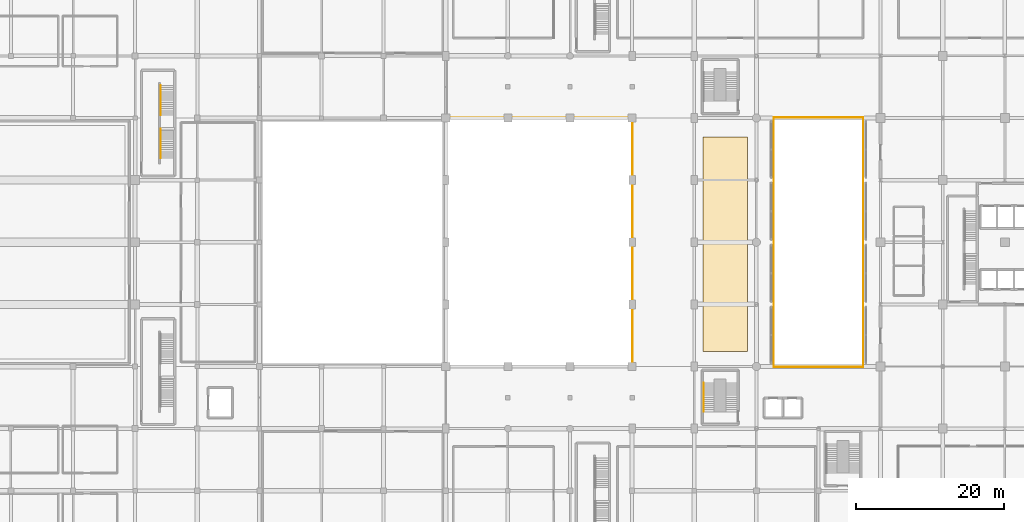
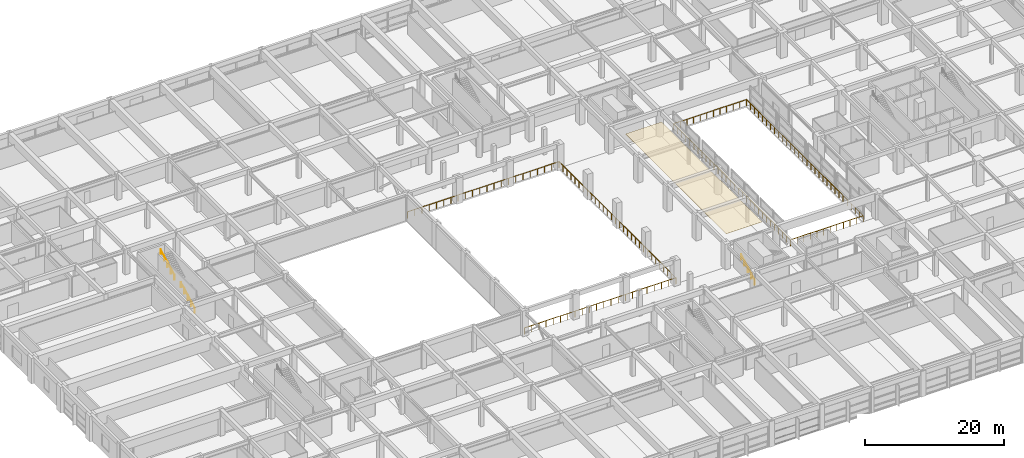
# One storey, part 61 of 65: 5 railings, 1 covering.
"""IFC4 building model written with IfcOpenShell, lengths in metres."""

from ifc_helpers import new_model, si_unit, direction, frame, origin, origin_2d, place, context, subcontext, project, spatial, polyline, circle, outline, extrude, material, layer, layer_set, type_object, element, save


model = new_model("IFC4")

# Units and contexts
model_context = context("Model", 3, precision=1e-05, world=origin(), true_north=direction((0.0, 1.0)))
body_context = subcontext(model_context, "Body", "Model", "MODEL_VIEW")
ifc_project = project(units=[si_unit("LENGTHUNIT", "METRE"), si_unit("AREAUNIT", "SQUARE_METRE"), si_unit("VOLUMEUNIT", "CUBIC_METRE"), si_unit("PLANEANGLEUNIT", "RADIAN"), si_unit("MASSUNIT", "GRAM", prefix="KILO")], contexts=[model_context])

# Site, building, storey
site_placement = place(None, origin())
site = spatial("IfcSite", under=ifc_project, at=site_placement, CompositionType="ELEMENT")
building_placement = place(site_placement, origin())
building = spatial("IfcBuilding", under=site, at=building_placement, Name="Xuanlan Plaza Opera House", CompositionType="ELEMENT")
storey_placement = place(building_placement, frame((0.0, 0.0, 5.39990234375)))
storey = spatial("IfcBuildingStorey", under=building, at=storey_placement, Name="L01", CompositionType="ELEMENT", Elevation=5.39990234375)

# Covering
ifc_material_1 = material(Name="Anodised Aluminium 6063-T6", Category="aluminium")
ifc_layer = layer(ifc_material_1, 0.034912109375)
ifc_layer_set = layer_set([ifc_layer], Name="Anodised Aluminium 6063-T6")
covering_type = type_object("IfcCoveringType", Name="INT-COV-CLG-02", PredefinedType="CEILING", material=ifc_layer_set)
covering_placement = place(storey_placement, frame((0.0, 0.0, 4.205078125)))
element("IfcCovering", 1, at=covering_placement, inside=storey, type_object=covering_type, Name="Acoustic Baffle Ceiling L01", PredefinedType="CEILING", context=body_context, shape_type="SweptSolid", body=[
    extrude(outline(polyline([(102.0, 44.0), (108.0, 44.0), (108.0, 73.0), (102.0, 73.0), (102.0, 44.0)])), origin(), (0.0, 0.0, 1.0), 0.034912109375),
])

# Railings
ifc_material_2 = material(Name="Stainless Steel S30408 and Laminated Glass", Category="steel")
railing_type_1 = type_object("IfcRailingType", Name="INT-RL-GR03", PredefinedType="GUARDRAIL", material=ifc_material_2)
railing_1_placement = place(storey_placement, frame((111.550048828125, 41.949951171875, 0.0)))
element("IfcRailing", 2, at=railing_1_placement, inside=storey, type_object=railing_type_1, Name="Atrium Gallery Perimeter Guardrail L01", PredefinedType="GUARDRAIL", context=body_context, shape_type="SweptSolid", body=[
    extrude(circle(Radius=0.02392578125, at=origin_2d()), frame((0.0, 0.0, 1.09619140625), z_axis=(1.0, 0.0, 0.0), x_axis=(0.0, 1.0, 0.0)), (0.0, 0.0, 1.0), 12.099853515625),
    extrude(circle(Radius=0.02392578125, at=origin_2d()), frame((12.099853515625, 0.0, 1.09619140625), z_axis=(0.0, 1.0, 0.0), x_axis=(-1.0, 0.0, 0.0)), (0.0, 0.0, 1.0), 33.699951171875),
    extrude(circle(Radius=0.02392578125, at=origin_2d()), frame((12.099853515625, 33.699951171875, 1.09619140625), z_axis=(-1.0, 0.0, 0.0), x_axis=(0.0, -1.0, 0.0)), (0.0, 0.0, 1.0), 12.099853515625),
    extrude(circle(Radius=0.02392578125, at=origin_2d()), frame((0.0, 33.699951171875, 1.09619140625), z_axis=(0.0, -1.0, 0.0), x_axis=(1.0, 0.0, 0.0)), (0.0, 0.0, 1.0), 33.699951171875),
    extrude(circle(Radius=0.02099609375, at=origin_2d()), origin(), (0.0, 0.0, 1.0), 1.072021484375),
    extrude(circle(Radius=0.02099609375, at=origin_2d()), frame((1.10009765625, 0.0, 0.0)), (0.0, 0.0, 1.0), 1.072021484375),
    extrude(circle(Radius=0.02099609375, at=origin_2d()), frame((2.199951171875, 0.0, 0.0)), (0.0, 0.0, 1.0), 1.072021484375),
    extrude(circle(Radius=0.02099609375, at=origin_2d()), frame((3.300048828125, 0.0, 0.0)), (0.0, 0.0, 1.0), 1.072021484375),
    extrude(circle(Radius=0.02099609375, at=origin_2d()), frame((4.39990234375, 0.0, 0.0)), (0.0, 0.0, 1.0), 1.072021484375),
    extrude(circle(Radius=0.02099609375, at=origin_2d()), frame((5.5, 0.0, 0.0)), (0.0, 0.0, 1.0), 1.072021484375),
    extrude(circle(Radius=0.02099609375, at=origin_2d()), frame((6.599853515625, 0.0, 0.0)), (0.0, 0.0, 1.0), 1.072021484375),
    extrude(circle(Radius=0.02099609375, at=origin_2d()), frame((7.699951171875, 0.0, 0.0)), (0.0, 0.0, 1.0), 1.072021484375),
    extrude(circle(Radius=0.02099609375, at=origin_2d()), frame((8.7998046875, 0.0, 0.0)), (0.0, 0.0, 1.0), 1.072021484375),
    extrude(circle(Radius=0.02099609375, at=origin_2d()), frame((9.89990234375, 0.0, 0.0)), (0.0, 0.0, 1.0), 1.072021484375),
    extrude(circle(Radius=0.02099609375, at=origin_2d()), frame((10.999755859375, 0.0, 0.0)), (0.0, 0.0, 1.0), 1.072021484375),
    extrude(circle(Radius=0.02099609375, at=origin_2d()), frame((12.099853515625, 0.0, 0.0)), (0.0, 0.0, 1.0), 1.072021484375),
    extrude(circle(Radius=0.02099609375, at=origin_2d()), frame((12.099853515625, 1.162109375, 0.0)), (0.0, 0.0, 1.0), 1.072021484375),
    extrude(circle(Radius=0.02099609375, at=origin_2d()), frame((12.099853515625, 2.32421875, 0.0)), (0.0, 0.0, 1.0), 1.072021484375),
    extrude(circle(Radius=0.02099609375, at=origin_2d()), frame((12.099853515625, 3.486083984375, 0.0)), (0.0, 0.0, 1.0), 1.072021484375),
    extrude(circle(Radius=0.02099609375, at=origin_2d()), frame((12.099853515625, 4.648193359375, 0.0)), (0.0, 0.0, 1.0), 1.072021484375),
    extrude(circle(Radius=0.02099609375, at=origin_2d()), frame((12.099853515625, 5.810302734375, 0.0)), (0.0, 0.0, 1.0), 1.072021484375),
    extrude(circle(Radius=0.02099609375, at=origin_2d()), frame((12.099853515625, 6.972412109375, 0.0)), (0.0, 0.0, 1.0), 1.072021484375),
    extrude(circle(Radius=0.02099609375, at=origin_2d()), frame((12.099853515625, 8.134521484375, 0.0)), (0.0, 0.0, 1.0), 1.072021484375),
    extrude(circle(Radius=0.02099609375, at=origin_2d()), frame((12.099853515625, 9.296630859375, 0.0)), (0.0, 0.0, 1.0), 1.072021484375),
    extrude(circle(Radius=0.02099609375, at=origin_2d()), frame((12.099853515625, 10.45849609375, 0.0)), (0.0, 0.0, 1.0), 1.072021484375),
    extrude(circle(Radius=0.02099609375, at=origin_2d()), frame((12.099853515625, 11.62060546875, 0.0)), (0.0, 0.0, 1.0), 1.072021484375),
    extrude(circle(Radius=0.02099609375, at=origin_2d()), frame((12.099853515625, 12.78271484375, 0.0)), (0.0, 0.0, 1.0), 1.072021484375),
    extrude(circle(Radius=0.02099609375, at=origin_2d()), frame((12.099853515625, 13.94482421875, 0.0)), (0.0, 0.0, 1.0), 1.072021484375),
    extrude(circle(Radius=0.02099609375, at=origin_2d()), frame((12.099853515625, 15.10693359375, 0.0)), (0.0, 0.0, 1.0), 1.072021484375),
    extrude(circle(Radius=0.02099609375, at=origin_2d()), frame((12.099853515625, 16.26904296875, 0.0)), (0.0, 0.0, 1.0), 1.072021484375),
    extrude(circle(Radius=0.02099609375, at=origin_2d()), frame((12.099853515625, 17.430908203125, 0.0)), (0.0, 0.0, 1.0), 1.072021484375),
    extrude(circle(Radius=0.02099609375, at=origin_2d()), frame((12.099853515625, 18.593017578125, 0.0)), (0.0, 0.0, 1.0), 1.072021484375),
    extrude(circle(Radius=0.02099609375, at=origin_2d()), frame((12.099853515625, 19.755126953125, 0.0)), (0.0, 0.0, 1.0), 1.072021484375),
    extrude(circle(Radius=0.02099609375, at=origin_2d()), frame((12.099853515625, 20.917236328125, 0.0)), (0.0, 0.0, 1.0), 1.072021484375),
    extrude(circle(Radius=0.02099609375, at=origin_2d()), frame((12.099853515625, 22.079345703125, 0.0)), (0.0, 0.0, 1.0), 1.072021484375),
    extrude(circle(Radius=0.02099609375, at=origin_2d()), frame((12.099853515625, 23.241455078125, 0.0)), (0.0, 0.0, 1.0), 1.072021484375),
    extrude(circle(Radius=0.02099609375, at=origin_2d()), frame((12.099853515625, 24.4033203125, 0.0)), (0.0, 0.0, 1.0), 1.072021484375),
    extrude(circle(Radius=0.02099609375, at=origin_2d()), frame((12.099853515625, 25.5654296875, 0.0)), (0.0, 0.0, 1.0), 1.072021484375),
    extrude(circle(Radius=0.02099609375, at=origin_2d()), frame((12.099853515625, 26.7275390625, 0.0)), (0.0, 0.0, 1.0), 1.072021484375),
    extrude(circle(Radius=0.02099609375, at=origin_2d()), frame((12.099853515625, 27.8896484375, 0.0)), (0.0, 0.0, 1.0), 1.072021484375),
    extrude(circle(Radius=0.02099609375, at=origin_2d()), frame((12.099853515625, 29.0517578125, 0.0)), (0.0, 0.0, 1.0), 1.072021484375),
    extrude(circle(Radius=0.02099609375, at=origin_2d()), frame((12.099853515625, 30.2138671875, 0.0)), (0.0, 0.0, 1.0), 1.072021484375),
    extrude(circle(Radius=0.02099609375, at=origin_2d()), frame((12.099853515625, 31.375732421875, 0.0)), (0.0, 0.0, 1.0), 1.072021484375),
    extrude(circle(Radius=0.02099609375, at=origin_2d()), frame((12.099853515625, 32.537841796875, 0.0)), (0.0, 0.0, 1.0), 1.072021484375),
    extrude(circle(Radius=0.02099609375, at=origin_2d()), frame((12.099853515625, 33.699951171875, 0.0)), (0.0, 0.0, 1.0), 1.072021484375),
    extrude(circle(Radius=0.02099609375, at=origin_2d()), frame((10.999755859375, 33.699951171875, 0.0)), (0.0, 0.0, 1.0), 1.072021484375),
    extrude(circle(Radius=0.02099609375, at=origin_2d()), frame((9.89990234375, 33.699951171875, 0.0)), (0.0, 0.0, 1.0), 1.072021484375),
    extrude(circle(Radius=0.02099609375, at=origin_2d()), frame((8.7998046875, 33.699951171875, 0.0)), (0.0, 0.0, 1.0), 1.072021484375),
    extrude(circle(Radius=0.02099609375, at=origin_2d()), frame((7.699951171875, 33.699951171875, 0.0)), (0.0, 0.0, 1.0), 1.072021484375),
    extrude(circle(Radius=0.02099609375, at=origin_2d()), frame((6.599853515625, 33.699951171875, 0.0)), (0.0, 0.0, 1.0), 1.072021484375),
    extrude(circle(Radius=0.02099609375, at=origin_2d()), frame((5.5, 33.699951171875, 0.0)), (0.0, 0.0, 1.0), 1.072021484375),
    extrude(circle(Radius=0.02099609375, at=origin_2d()), frame((4.39990234375, 33.699951171875, 0.0)), (0.0, 0.0, 1.0), 1.072021484375),
    extrude(circle(Radius=0.02099609375, at=origin_2d()), frame((3.300048828125, 33.699951171875, 0.0)), (0.0, 0.0, 1.0), 1.072021484375),
    extrude(circle(Radius=0.02099609375, at=origin_2d()), frame((2.199951171875, 33.699951171875, 0.0)), (0.0, 0.0, 1.0), 1.072021484375),
    extrude(circle(Radius=0.02099609375, at=origin_2d()), frame((1.10009765625, 33.699951171875, 0.0)), (0.0, 0.0, 1.0), 1.072021484375),
    extrude(circle(Radius=0.02099609375, at=origin_2d()), frame((0.0, 33.699951171875, 0.0)), (0.0, 0.0, 1.0), 1.072021484375),
    extrude(circle(Radius=0.02099609375, at=origin_2d()), frame((0.0, 32.537841796875, 0.0)), (0.0, 0.0, 1.0), 1.072021484375),
    extrude(circle(Radius=0.02099609375, at=origin_2d()), frame((0.0, 31.375732421875, 0.0)), (0.0, 0.0, 1.0), 1.072021484375),
    extrude(circle(Radius=0.02099609375, at=origin_2d()), frame((0.0, 30.2138671875, 0.0)), (0.0, 0.0, 1.0), 1.072021484375),
    extrude(circle(Radius=0.02099609375, at=origin_2d()), frame((0.0, 29.0517578125, 0.0)), (0.0, 0.0, 1.0), 1.072021484375),
    extrude(circle(Radius=0.02099609375, at=origin_2d()), frame((0.0, 27.8896484375, 0.0)), (0.0, 0.0, 1.0), 1.072021484375),
    extrude(circle(Radius=0.02099609375, at=origin_2d()), frame((0.0, 26.7275390625, 0.0)), (0.0, 0.0, 1.0), 1.072021484375),
    extrude(circle(Radius=0.02099609375, at=origin_2d()), frame((0.0, 25.5654296875, 0.0)), (0.0, 0.0, 1.0), 1.072021484375),
    extrude(circle(Radius=0.02099609375, at=origin_2d()), frame((0.0, 24.4033203125, 0.0)), (0.0, 0.0, 1.0), 1.072021484375),
    extrude(circle(Radius=0.02099609375, at=origin_2d()), frame((0.0, 23.241455078125, 0.0)), (0.0, 0.0, 1.0), 1.072021484375),
    extrude(circle(Radius=0.02099609375, at=origin_2d()), frame((0.0, 22.079345703125, 0.0)), (0.0, 0.0, 1.0), 1.072021484375),
    extrude(circle(Radius=0.02099609375, at=origin_2d()), frame((0.0, 20.917236328125, 0.0)), (0.0, 0.0, 1.0), 1.072021484375),
    extrude(circle(Radius=0.02099609375, at=origin_2d()), frame((0.0, 19.755126953125, 0.0)), (0.0, 0.0, 1.0), 1.072021484375),
    extrude(circle(Radius=0.02099609375, at=origin_2d()), frame((0.0, 18.593017578125, 0.0)), (0.0, 0.0, 1.0), 1.072021484375),
    extrude(circle(Radius=0.02099609375, at=origin_2d()), frame((0.0, 17.430908203125, 0.0)), (0.0, 0.0, 1.0), 1.072021484375),
    extrude(circle(Radius=0.02099609375, at=origin_2d()), frame((0.0, 16.26904296875, 0.0)), (0.0, 0.0, 1.0), 1.072021484375),
    extrude(circle(Radius=0.02099609375, at=origin_2d()), frame((0.0, 15.10693359375, 0.0)), (0.0, 0.0, 1.0), 1.072021484375),
    extrude(circle(Radius=0.02099609375, at=origin_2d()), frame((0.0, 13.94482421875, 0.0)), (0.0, 0.0, 1.0), 1.072021484375),
    extrude(circle(Radius=0.02099609375, at=origin_2d()), frame((0.0, 12.78271484375, 0.0)), (0.0, 0.0, 1.0), 1.072021484375),
    extrude(circle(Radius=0.02099609375, at=origin_2d()), frame((0.0, 11.62060546875, 0.0)), (0.0, 0.0, 1.0), 1.072021484375),
    extrude(circle(Radius=0.02099609375, at=origin_2d()), frame((0.0, 10.45849609375, 0.0)), (0.0, 0.0, 1.0), 1.072021484375),
    extrude(circle(Radius=0.02099609375, at=origin_2d()), frame((0.0, 9.296630859375, 0.0)), (0.0, 0.0, 1.0), 1.072021484375),
    extrude(circle(Radius=0.02099609375, at=origin_2d()), frame((0.0, 8.134521484375, 0.0)), (0.0, 0.0, 1.0), 1.072021484375),
    extrude(circle(Radius=0.02099609375, at=origin_2d()), frame((0.0, 6.972412109375, 0.0)), (0.0, 0.0, 1.0), 1.072021484375),
    extrude(circle(Radius=0.02099609375, at=origin_2d()), frame((0.0, 5.810302734375, 0.0)), (0.0, 0.0, 1.0), 1.072021484375),
    extrude(circle(Radius=0.02099609375, at=origin_2d()), frame((0.0, 4.648193359375, 0.0)), (0.0, 0.0, 1.0), 1.072021484375),
    extrude(circle(Radius=0.02099609375, at=origin_2d()), frame((0.0, 3.486083984375, 0.0)), (0.0, 0.0, 1.0), 1.072021484375),
    extrude(circle(Radius=0.02099609375, at=origin_2d()), frame((0.0, 2.32421875, 0.0)), (0.0, 0.0, 1.0), 1.072021484375),
    extrude(circle(Radius=0.02099609375, at=origin_2d()), frame((0.0, 1.162109375, 0.0)), (0.0, 0.0, 1.0), 1.072021484375),
])
railing_2_placement = place(storey_placement, frame((67.25, 41.949951171875, 0.0)))
element("IfcRailing", 3, at=railing_2_placement, inside=storey, type_object=railing_type_1, Name="Auditorium Bowl Balcony Guardrail L01", PredefinedType="GUARDRAIL", context=body_context, shape_type="SweptSolid", body=[
    extrude(circle(Radius=0.02392578125, at=origin_2d()), frame((0.0, 0.0, 1.09619140625), z_axis=(1.0, 0.0, 0.0), x_axis=(0.0, 1.0, 0.0)), (0.0, 0.0, 1.0), 25.199951171875),
    extrude(circle(Radius=0.02392578125, at=origin_2d()), frame((25.199951171875, 0.0, 1.09619140625), z_axis=(0.0, 1.0, 0.0), x_axis=(-1.0, 0.0, 0.0)), (0.0, 0.0, 1.0), 33.699951171875),
    extrude(circle(Radius=0.02392578125, at=origin_2d()), frame((25.199951171875, 33.699951171875, 1.09619140625), z_axis=(-1.0, 0.0, 0.0), x_axis=(0.0, -1.0, 0.0)), (0.0, 0.0, 1.0), 25.199951171875),
    extrude(circle(Radius=0.02099609375, at=origin_2d()), origin(), (0.0, 0.0, 1.0), 1.072021484375),
    extrude(circle(Radius=0.02099609375, at=origin_2d()), frame((1.199951171875, 0.0, 0.0)), (0.0, 0.0, 1.0), 1.072021484375),
    extrude(circle(Radius=0.02099609375, at=origin_2d()), frame((2.39990234375, 0.0, 0.0)), (0.0, 0.0, 1.0), 1.072021484375),
    extrude(circle(Radius=0.02099609375, at=origin_2d()), frame((3.60009765625, 0.0, 0.0)), (0.0, 0.0, 1.0), 1.072021484375),
    extrude(circle(Radius=0.02099609375, at=origin_2d()), frame((4.800048828125, 0.0, 0.0)), (0.0, 0.0, 1.0), 1.072021484375),
    extrude(circle(Radius=0.02099609375, at=origin_2d()), frame((6.0, 0.0, 0.0)), (0.0, 0.0, 1.0), 1.072021484375),
    extrude(circle(Radius=0.02099609375, at=origin_2d()), frame((7.199951171875, 0.0, 0.0)), (0.0, 0.0, 1.0), 1.072021484375),
    extrude(circle(Radius=0.02099609375, at=origin_2d()), frame((8.39990234375, 0.0, 0.0)), (0.0, 0.0, 1.0), 1.072021484375),
    extrude(circle(Radius=0.02099609375, at=origin_2d()), frame((9.60009765625, 0.0, 0.0)), (0.0, 0.0, 1.0), 1.072021484375),
    extrude(circle(Radius=0.02099609375, at=origin_2d()), frame((10.800048828125, 0.0, 0.0)), (0.0, 0.0, 1.0), 1.072021484375),
    extrude(circle(Radius=0.02099609375, at=origin_2d()), frame((12.0, 0.0, 0.0)), (0.0, 0.0, 1.0), 1.072021484375),
    extrude(circle(Radius=0.02099609375, at=origin_2d()), frame((13.199951171875, 0.0, 0.0)), (0.0, 0.0, 1.0), 1.072021484375),
    extrude(circle(Radius=0.02099609375, at=origin_2d()), frame((14.39990234375, 0.0, 0.0)), (0.0, 0.0, 1.0), 1.072021484375),
    extrude(circle(Radius=0.02099609375, at=origin_2d()), frame((15.599853515625, 0.0, 0.0)), (0.0, 0.0, 1.0), 1.072021484375),
    extrude(circle(Radius=0.02099609375, at=origin_2d()), frame((16.800048828125, 0.0, 0.0)), (0.0, 0.0, 1.0), 1.072021484375),
    extrude(circle(Radius=0.02099609375, at=origin_2d()), frame((18.0, 0.0, 0.0)), (0.0, 0.0, 1.0), 1.072021484375),
    extrude(circle(Radius=0.02099609375, at=origin_2d()), frame((19.199951171875, 0.0, 0.0)), (0.0, 0.0, 1.0), 1.072021484375),
    extrude(circle(Radius=0.02099609375, at=origin_2d()), frame((20.39990234375, 0.0, 0.0)), (0.0, 0.0, 1.0), 1.072021484375),
    extrude(circle(Radius=0.02099609375, at=origin_2d()), frame((21.599853515625, 0.0, 0.0)), (0.0, 0.0, 1.0), 1.072021484375),
    extrude(circle(Radius=0.02099609375, at=origin_2d()), frame((22.800048828125, 0.0, 0.0)), (0.0, 0.0, 1.0), 1.072021484375),
    extrude(circle(Radius=0.02099609375, at=origin_2d()), frame((24.0, 0.0, 0.0)), (0.0, 0.0, 1.0), 1.072021484375),
    extrude(circle(Radius=0.02099609375, at=origin_2d()), frame((25.199951171875, 0.0, 0.0)), (0.0, 0.0, 1.0), 1.072021484375),
    extrude(circle(Radius=0.02099609375, at=origin_2d()), frame((25.199951171875, 1.162109375, 0.0)), (0.0, 0.0, 1.0), 1.072021484375),
    extrude(circle(Radius=0.02099609375, at=origin_2d()), frame((25.199951171875, 2.32421875, 0.0)), (0.0, 0.0, 1.0), 1.072021484375),
    extrude(circle(Radius=0.02099609375, at=origin_2d()), frame((25.199951171875, 3.486083984375, 0.0)), (0.0, 0.0, 1.0), 1.072021484375),
    extrude(circle(Radius=0.02099609375, at=origin_2d()), frame((25.199951171875, 4.648193359375, 0.0)), (0.0, 0.0, 1.0), 1.072021484375),
    extrude(circle(Radius=0.02099609375, at=origin_2d()), frame((25.199951171875, 5.810302734375, 0.0)), (0.0, 0.0, 1.0), 1.072021484375),
    extrude(circle(Radius=0.02099609375, at=origin_2d()), frame((25.199951171875, 6.972412109375, 0.0)), (0.0, 0.0, 1.0), 1.072021484375),
    extrude(circle(Radius=0.02099609375, at=origin_2d()), frame((25.199951171875, 8.134521484375, 0.0)), (0.0, 0.0, 1.0), 1.072021484375),
    extrude(circle(Radius=0.02099609375, at=origin_2d()), frame((25.199951171875, 9.296630859375, 0.0)), (0.0, 0.0, 1.0), 1.072021484375),
    extrude(circle(Radius=0.02099609375, at=origin_2d()), frame((25.199951171875, 10.45849609375, 0.0)), (0.0, 0.0, 1.0), 1.072021484375),
    extrude(circle(Radius=0.02099609375, at=origin_2d()), frame((25.199951171875, 11.62060546875, 0.0)), (0.0, 0.0, 1.0), 1.072021484375),
    extrude(circle(Radius=0.02099609375, at=origin_2d()), frame((25.199951171875, 12.78271484375, 0.0)), (0.0, 0.0, 1.0), 1.072021484375),
    extrude(circle(Radius=0.02099609375, at=origin_2d()), frame((25.199951171875, 13.94482421875, 0.0)), (0.0, 0.0, 1.0), 1.072021484375),
    extrude(circle(Radius=0.02099609375, at=origin_2d()), frame((25.199951171875, 15.10693359375, 0.0)), (0.0, 0.0, 1.0), 1.072021484375),
    extrude(circle(Radius=0.02099609375, at=origin_2d()), frame((25.199951171875, 16.26904296875, 0.0)), (0.0, 0.0, 1.0), 1.072021484375),
    extrude(circle(Radius=0.02099609375, at=origin_2d()), frame((25.199951171875, 17.430908203125, 0.0)), (0.0, 0.0, 1.0), 1.072021484375),
    extrude(circle(Radius=0.02099609375, at=origin_2d()), frame((25.199951171875, 18.593017578125, 0.0)), (0.0, 0.0, 1.0), 1.072021484375),
    extrude(circle(Radius=0.02099609375, at=origin_2d()), frame((25.199951171875, 19.755126953125, 0.0)), (0.0, 0.0, 1.0), 1.072021484375),
    extrude(circle(Radius=0.02099609375, at=origin_2d()), frame((25.199951171875, 20.917236328125, 0.0)), (0.0, 0.0, 1.0), 1.072021484375),
    extrude(circle(Radius=0.02099609375, at=origin_2d()), frame((25.199951171875, 22.079345703125, 0.0)), (0.0, 0.0, 1.0), 1.072021484375),
    extrude(circle(Radius=0.02099609375, at=origin_2d()), frame((25.199951171875, 23.241455078125, 0.0)), (0.0, 0.0, 1.0), 1.072021484375),
    extrude(circle(Radius=0.02099609375, at=origin_2d()), frame((25.199951171875, 24.4033203125, 0.0)), (0.0, 0.0, 1.0), 1.072021484375),
    extrude(circle(Radius=0.02099609375, at=origin_2d()), frame((25.199951171875, 25.5654296875, 0.0)), (0.0, 0.0, 1.0), 1.072021484375),
    extrude(circle(Radius=0.02099609375, at=origin_2d()), frame((25.199951171875, 26.7275390625, 0.0)), (0.0, 0.0, 1.0), 1.072021484375),
    extrude(circle(Radius=0.02099609375, at=origin_2d()), frame((25.199951171875, 27.8896484375, 0.0)), (0.0, 0.0, 1.0), 1.072021484375),
    extrude(circle(Radius=0.02099609375, at=origin_2d()), frame((25.199951171875, 29.0517578125, 0.0)), (0.0, 0.0, 1.0), 1.072021484375),
    extrude(circle(Radius=0.02099609375, at=origin_2d()), frame((25.199951171875, 30.2138671875, 0.0)), (0.0, 0.0, 1.0), 1.072021484375),
    extrude(circle(Radius=0.02099609375, at=origin_2d()), frame((25.199951171875, 31.375732421875, 0.0)), (0.0, 0.0, 1.0), 1.072021484375),
    extrude(circle(Radius=0.02099609375, at=origin_2d()), frame((25.199951171875, 32.537841796875, 0.0)), (0.0, 0.0, 1.0), 1.072021484375),
    extrude(circle(Radius=0.02099609375, at=origin_2d()), frame((25.199951171875, 33.699951171875, 0.0)), (0.0, 0.0, 1.0), 1.072021484375),
    extrude(circle(Radius=0.02099609375, at=origin_2d()), frame((24.0, 33.699951171875, 0.0)), (0.0, 0.0, 1.0), 1.072021484375),
    extrude(circle(Radius=0.02099609375, at=origin_2d()), frame((22.800048828125, 33.699951171875, 0.0)), (0.0, 0.0, 1.0), 1.072021484375),
    extrude(circle(Radius=0.02099609375, at=origin_2d()), frame((21.599853515625, 33.699951171875, 0.0)), (0.0, 0.0, 1.0), 1.072021484375),
    extrude(circle(Radius=0.02099609375, at=origin_2d()), frame((20.39990234375, 33.699951171875, 0.0)), (0.0, 0.0, 1.0), 1.072021484375),
    extrude(circle(Radius=0.02099609375, at=origin_2d()), frame((19.199951171875, 33.699951171875, 0.0)), (0.0, 0.0, 1.0), 1.072021484375),
    extrude(circle(Radius=0.02099609375, at=origin_2d()), frame((18.0, 33.699951171875, 0.0)), (0.0, 0.0, 1.0), 1.072021484375),
    extrude(circle(Radius=0.02099609375, at=origin_2d()), frame((16.800048828125, 33.699951171875, 0.0)), (0.0, 0.0, 1.0), 1.072021484375),
    extrude(circle(Radius=0.02099609375, at=origin_2d()), frame((15.599853515625, 33.699951171875, 0.0)), (0.0, 0.0, 1.0), 1.072021484375),
    extrude(circle(Radius=0.02099609375, at=origin_2d()), frame((14.39990234375, 33.699951171875, 0.0)), (0.0, 0.0, 1.0), 1.072021484375),
    extrude(circle(Radius=0.02099609375, at=origin_2d()), frame((13.199951171875, 33.699951171875, 0.0)), (0.0, 0.0, 1.0), 1.072021484375),
    extrude(circle(Radius=0.02099609375, at=origin_2d()), frame((12.0, 33.699951171875, 0.0)), (0.0, 0.0, 1.0), 1.072021484375),
    extrude(circle(Radius=0.02099609375, at=origin_2d()), frame((10.800048828125, 33.699951171875, 0.0)), (0.0, 0.0, 1.0), 1.072021484375),
    extrude(circle(Radius=0.02099609375, at=origin_2d()), frame((9.60009765625, 33.699951171875, 0.0)), (0.0, 0.0, 1.0), 1.072021484375),
    extrude(circle(Radius=0.02099609375, at=origin_2d()), frame((8.39990234375, 33.699951171875, 0.0)), (0.0, 0.0, 1.0), 1.072021484375),
    extrude(circle(Radius=0.02099609375, at=origin_2d()), frame((7.199951171875, 33.699951171875, 0.0)), (0.0, 0.0, 1.0), 1.072021484375),
    extrude(circle(Radius=0.02099609375, at=origin_2d()), frame((6.0, 33.699951171875, 0.0)), (0.0, 0.0, 1.0), 1.072021484375),
    extrude(circle(Radius=0.02099609375, at=origin_2d()), frame((4.800048828125, 33.699951171875, 0.0)), (0.0, 0.0, 1.0), 1.072021484375),
    extrude(circle(Radius=0.02099609375, at=origin_2d()), frame((3.60009765625, 33.699951171875, 0.0)), (0.0, 0.0, 1.0), 1.072021484375),
    extrude(circle(Radius=0.02099609375, at=origin_2d()), frame((2.39990234375, 33.699951171875, 0.0)), (0.0, 0.0, 1.0), 1.072021484375),
    extrude(circle(Radius=0.02099609375, at=origin_2d()), frame((1.199951171875, 33.699951171875, 0.0)), (0.0, 0.0, 1.0), 1.072021484375),
    extrude(circle(Radius=0.02099609375, at=origin_2d()), frame((0.0, 33.699951171875, 0.0)), (0.0, 0.0, 1.0), 1.072021484375),
])
ifc_material_3 = material(Name="Stainless Steel S30408", Category="steel")
railing_type_2 = type_object("IfcRailingType", Name="INT-RL-HR01", PredefinedType="HANDRAIL", material=ifc_material_3)
for number, where, name in (
    (4, (28.659912109375, 70.169921875, 0.150146484375), "Stair Handrail ST-P2 L01 Flight 1"),
    (5, (28.659912109375, 76.010009765625, 2.400146484375), "Stair Handrail ST-P2 L01 Flight 2"),
):
    element("IfcRailing", number, at=place(storey_placement, frame(where)), inside=storey, type_object=railing_type_2, Name=name, PredefinedType="HANDRAIL", context=body_context, shape_type="SweptSolid", body=[
        extrude(circle(Radius=0.02392578125, at=origin_2d()), frame((0.0, 0.0, 0.8759765625), z_axis=(0.0, 0.884931142248, 0.465721884261), x_axis=(-1.0, 0.0, 0.0)), (0.0, 0.0, 1.0), 4.5087890625),
        extrude(circle(Radius=0.02099609375, at=origin_2d()), origin(), (0.0, 0.0, 1.0), 0.851806640625),
        extrude(circle(Radius=0.02099609375, at=origin_2d()), frame((0.0, 0.99755859375, 0.52490234375)), (0.0, 0.0, 1.0), 0.851806640625),
        extrude(circle(Radius=0.02099609375, at=origin_2d()), frame((0.0, 1.9951171875, 1.0498046875)), (0.0, 0.0, 1.0), 0.851806640625),
        extrude(circle(Radius=0.02099609375, at=origin_2d()), frame((0.0, 2.992431640625, 1.574951171875)), (0.0, 0.0, 1.0), 0.851806640625),
        extrude(circle(Radius=0.02099609375, at=origin_2d()), frame((0.0, 3.989990234375, 2.099853515625)), (0.0, 0.0, 1.0), 0.851806640625),
    ])
railing_type_3 = type_object("IfcRailingType", Name="INT-RL-HR02", PredefinedType="HANDRAIL", material=ifc_material_3)
railing_3_placement = place(storey_placement, frame((102.080078125, 35.8798828125, 0.150146484375)))
element("IfcRailing", 6, at=railing_3_placement, inside=storey, type_object=railing_type_3, Name="Feature Stair Handrail ST-F1 L01 Flight 1", PredefinedType="HANDRAIL", context=body_context, shape_type="SweptSolid", body=[
    extrude(circle(Radius=0.02392578125, at=origin_2d()), frame((0.0, 0.0, 0.89599609375), z_axis=(0.0, 0.881502004561, 0.472180279083), x_axis=(-1.0, 0.0, 0.0)), (0.0, 0.0, 1.0), 4.447265625),
    extrude(circle(Radius=0.02099609375, at=origin_2d()), origin(), (0.0, 0.0, 1.0), 0.871826171875),
    extrude(circle(Radius=0.02099609375, at=origin_2d()), frame((0.0, 0.97998046875, 0.52490234375)), (0.0, 0.0, 1.0), 0.871826171875),
    extrude(circle(Radius=0.02099609375, at=origin_2d()), frame((0.0, 1.9599609375, 1.0498046875)), (0.0, 0.0, 1.0), 0.871826171875),
    extrude(circle(Radius=0.02099609375, at=origin_2d()), frame((0.0, 2.940185546875, 1.574951171875)), (0.0, 0.0, 1.0), 0.871826171875),
    extrude(circle(Radius=0.02099609375, at=origin_2d()), frame((0.0, 3.920166015625, 2.099853515625)), (0.0, 0.0, 1.0), 0.871826171875),
])

save(model, "model.ifc")
